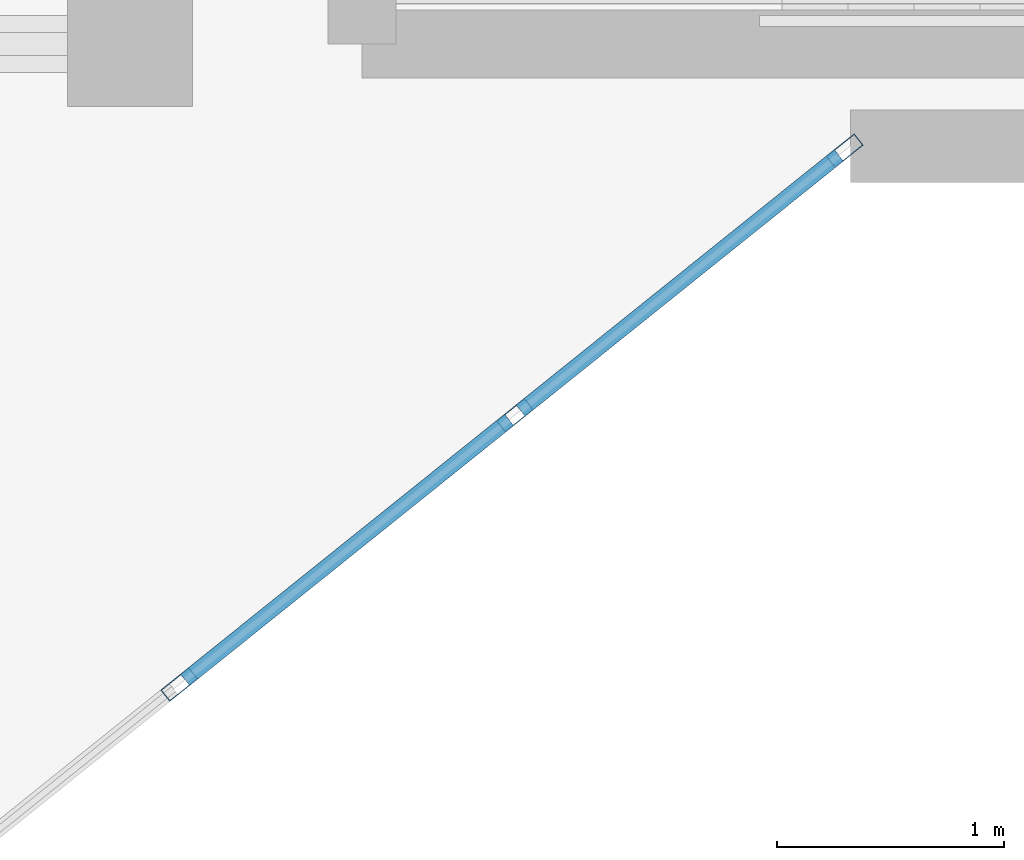
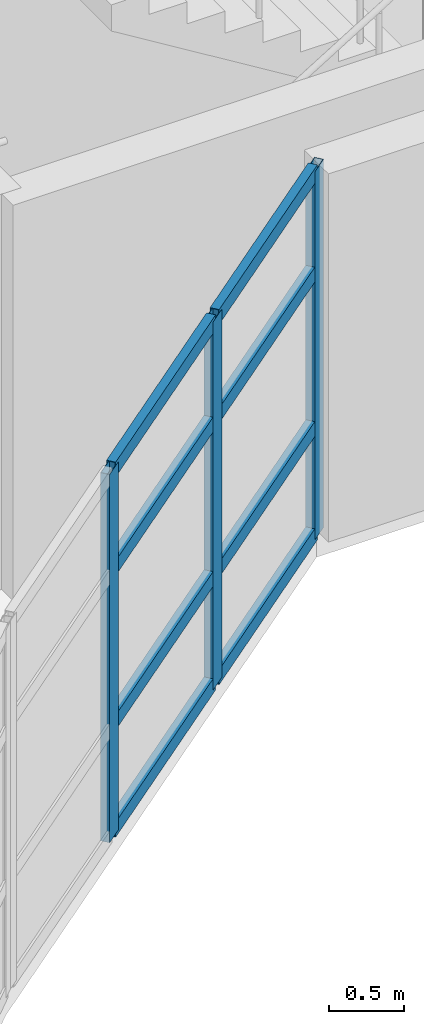
# One storey, part 10 of 54: 11 members, 1 element without a shape of its own.
"""IFC4 building model written with IfcOpenShell, lengths in metres."""

from ifc_helpers import new_model, si_unit, direction, frame, origin, origin_2d, place, context, subcontext, project, spatial, hollow_rectangle, extrude, material, layer, layer_set, material_profile, profile_set, type_object, element, aggregate, save


model = new_model("IFC4")

# Units and contexts
model_context = context("Model", 3, precision=1e-05, world=origin(), true_north=direction((0.0, 1.0)))
body_context = subcontext(model_context, "Body", "Model", "MODEL_VIEW")
ifc_project = project(units=[si_unit("LENGTHUNIT", "METRE"), si_unit("AREAUNIT", "SQUARE_METRE"), si_unit("VOLUMEUNIT", "CUBIC_METRE"), si_unit("PLANEANGLEUNIT", "RADIAN"), si_unit("MASSUNIT", "GRAM", prefix="KILO")], contexts=[model_context])

# Site, building, storey
site_placement = place(None, origin())
site = spatial("IfcSite", under=ifc_project, at=site_placement, CompositionType="ELEMENT")
building_placement = place(site_placement, origin())
building = spatial("IfcBuilding", under=site, at=building_placement, Name="Keldmere Railside Commons", CompositionType="ELEMENT")
storey_placement = place(building_placement, frame((0.0, 0.0, 26.56005859375)))
storey = spatial("IfcBuildingStorey", under=building, at=storey_placement, Name="L08", CompositionType="ELEMENT", Elevation=26.56005859375)

# Curtain wall, members
ifc_material = material(Name="Thermally Broken Aluminium", Category="aluminium")
ifc_layer = layer(ifc_material, 0.159912109375, Name="Court Chord Wintergarden CW 4800x2850")
ifc_layer_set = layer_set([ifc_layer], Name="Thermally Broken Aluminium")
curtain_wall_type = type_object("IfcCurtainWallType", Name="Court Chord Wintergarden CW 4800x2850", PredefinedType="NOTDEFINED", material=ifc_layer_set)
curtain_wall_placement = place(storey_placement, origin())
curtain_wall = element("IfcCurtainWall", 1, at=curtain_wall_placement, inside=storey, type_object=curtain_wall_type, Name="CW-12 CW-L08-075", PredefinedType="NOTDEFINED")
ifc_material_profile_1 = material_profile(ifc_material, hollow_rectangle(XDim=0.06494140625, YDim=0.159912109375, WallThickness=0.00390625, at=origin_2d()), Name="ALU-MULL-65x160")
ifc_profile_set_1 = profile_set([ifc_material_profile_1], Name="Thermally Broken Aluminium")
member_type_1 = type_object("IfcMemberType", Name="Unitised Curtain Wall Mullion 65x160", PredefinedType="MULLION", material=ifc_profile_set_1)
member_1_placement = place(storey_placement, frame((75.974609375, 99.979736328125, 0.0), z_axis=(0.0, 0.0, 1.0), x_axis=(0.625768080915, -0.780009172323, 0.0)))
member_1 = element("IfcMember", 2, at=member_1_placement, type_object=member_type_1, Name="CW-12 mullion 1", PredefinedType="MULLION", context=body_context, shape_type="SweptSolid", body=[
    extrude(hollow_rectangle(XDim=0.06494140625, YDim=0.159912109375, WallThickness=0.00390625, at=origin_2d()), origin(), (0.0, 0.0, 1.0), 2.97998046875),
])
member_2_placement = place(storey_placement, frame((74.5234375, 98.8154296875, 0.0), z_axis=(0.0, 0.0, 1.0), x_axis=(0.625768080915, -0.780009172323, 0.0)))
member_2 = element("IfcMember", 3, at=member_2_placement, type_object=member_type_1, Name="CW-12 mullion 2", PredefinedType="MULLION", context=body_context, shape_type="SweptSolid", body=[
    extrude(hollow_rectangle(XDim=0.06494140625, YDim=0.159912109375, WallThickness=0.00390625, at=origin_2d()), origin(), (0.0, 0.0, 1.0), 2.97998046875),
])
member_3_placement = place(storey_placement, frame((73.046630859375, 97.630615234375, 0.0), z_axis=(0.0, 0.0, 1.0), x_axis=(0.625768080915, -0.780009172323, 0.0)))
member_3 = element("IfcMember", 4, at=member_3_placement, type_object=member_type_1, Name="CW-12 mullion 3", PredefinedType="MULLION", context=body_context, shape_type="SweptSolid", body=[
    extrude(hollow_rectangle(XDim=0.06494140625, YDim=0.159912109375, WallThickness=0.00390625, at=origin_2d()), origin(), (0.0, 0.0, 1.0), 2.97998046875),
])
ifc_material_profile_2 = material_profile(ifc_material, hollow_rectangle(XDim=0.06494140625, YDim=0.1201171875, WallThickness=0.00390625, at=origin_2d()), Name="ALU-TRAN-65x120")
ifc_profile_set_2 = profile_set([ifc_material_profile_2], Name="Thermally Broken Aluminium")
member_type_2 = type_object("IfcMemberType", Name="Unitised Curtain Wall Transom 65x120", PredefinedType="USERDEFINED", material=ifc_profile_set_2)
member_4_placement = place(storey_placement, frame((75.94921875, 99.959228515625, 0.032470703125), z_axis=(-0.780045694992, -0.625722553313, 0.0), x_axis=(0.625722553313, -0.780045694992, 0.0)))
member_4 = element("IfcMember", 5, at=member_4_placement, type_object=member_type_2, Name="CW-12 transom 1.1", ObjectType="TRANSOM", PredefinedType="USERDEFINED", context=body_context, shape_type="SweptSolid", body=[
    extrude(hollow_rectangle(XDim=0.06494140625, YDim=0.1201171875, WallThickness=0.00390625, at=origin_2d()), origin(), (0.0, 0.0, 1.0), 1.795654296875),
])
member_5_placement = place(storey_placement, frame((75.94921875, 99.959228515625, 0.89990234375), z_axis=(-0.780045694992, -0.625722553313, 0.0), x_axis=(0.625722553313, -0.780045694992, 0.0)))
member_5 = element("IfcMember", 6, at=member_5_placement, type_object=member_type_2, Name="CW-12 transom 1.2", ObjectType="TRANSOM", PredefinedType="USERDEFINED", context=body_context, shape_type="SweptSolid", body=[
    extrude(hollow_rectangle(XDim=0.06494140625, YDim=0.1201171875, WallThickness=0.00390625, at=origin_2d()), origin(), (0.0, 0.0, 1.0), 1.795654296875),
])
member_6_placement = place(storey_placement, frame((75.94921875, 99.959228515625, 2.14990234375), z_axis=(-0.780045694992, -0.625722553313, 0.0), x_axis=(0.625722553313, -0.780045694992, 0.0)))
member_6 = element("IfcMember", 7, at=member_6_placement, type_object=member_type_2, Name="CW-12 transom 1.3", ObjectType="TRANSOM", PredefinedType="USERDEFINED", context=body_context, shape_type="SweptSolid", body=[
    extrude(hollow_rectangle(XDim=0.06494140625, YDim=0.1201171875, WallThickness=0.00390625, at=origin_2d()), origin(), (0.0, 0.0, 1.0), 1.795654296875),
])
member_7_placement = place(storey_placement, frame((75.94921875, 99.959228515625, 2.947509765625), z_axis=(-0.780045694992, -0.625722553313, 0.0), x_axis=(0.625722553313, -0.780045694992, 0.0)))
member_7 = element("IfcMember", 8, at=member_7_placement, type_object=member_type_2, Name="CW-12 transom 1.4", ObjectType="TRANSOM", PredefinedType="USERDEFINED", context=body_context, shape_type="SweptSolid", body=[
    extrude(hollow_rectangle(XDim=0.06494140625, YDim=0.1201171875, WallThickness=0.00390625, at=origin_2d()), origin(), (0.0, 0.0, 1.0), 1.795654296875),
])
member_8_placement = place(storey_placement, frame((74.498046875, 98.794921875, 0.032470703125), z_axis=(-0.78007338409, -0.625688033635, 0.0), x_axis=(0.625688033635, -0.78007338409, 0.0)))
member_8 = element("IfcMember", 9, at=member_8_placement, type_object=member_type_2, Name="CW-12 transom 2.1", ObjectType="TRANSOM", PredefinedType="USERDEFINED", context=body_context, shape_type="SweptSolid", body=[
    extrude(hollow_rectangle(XDim=0.06494140625, YDim=0.1201171875, WallThickness=0.00390625, at=origin_2d()), origin(), (0.0, 0.0, 1.0), 1.828125),
])
member_9_placement = place(storey_placement, frame((74.498046875, 98.794921875, 0.89990234375), z_axis=(-0.78007338409, -0.625688033635, 0.0), x_axis=(0.625688033635, -0.78007338409, 0.0)))
member_9 = element("IfcMember", 10, at=member_9_placement, type_object=member_type_2, Name="CW-12 transom 2.2", ObjectType="TRANSOM", PredefinedType="USERDEFINED", context=body_context, shape_type="SweptSolid", body=[
    extrude(hollow_rectangle(XDim=0.06494140625, YDim=0.1201171875, WallThickness=0.00390625, at=origin_2d()), origin(), (0.0, 0.0, 1.0), 1.828125),
])
member_10_placement = place(storey_placement, frame((74.498046875, 98.794921875, 2.14990234375), z_axis=(-0.78007338409, -0.625688033635, 0.0), x_axis=(0.625688033635, -0.78007338409, 0.0)))
member_10 = element("IfcMember", 11, at=member_10_placement, type_object=member_type_2, Name="CW-12 transom 2.3", ObjectType="TRANSOM", PredefinedType="USERDEFINED", context=body_context, shape_type="SweptSolid", body=[
    extrude(hollow_rectangle(XDim=0.06494140625, YDim=0.1201171875, WallThickness=0.00390625, at=origin_2d()), origin(), (0.0, 0.0, 1.0), 1.828125),
])
member_11_placement = place(storey_placement, frame((74.498046875, 98.794921875, 2.947509765625), z_axis=(-0.78007338409, -0.625688033635, 0.0), x_axis=(0.625688033635, -0.78007338409, 0.0)))
member_11 = element("IfcMember", 12, at=member_11_placement, type_object=member_type_2, Name="CW-12 transom 2.4", ObjectType="TRANSOM", PredefinedType="USERDEFINED", context=body_context, shape_type="SweptSolid", body=[
    extrude(hollow_rectangle(XDim=0.06494140625, YDim=0.1201171875, WallThickness=0.00390625, at=origin_2d()), origin(), (0.0, 0.0, 1.0), 1.828125),
])
aggregate(curtain_wall, [member_1, member_2, member_3, member_4, member_5, member_6, member_7, member_8, member_9, member_10, member_11])

save(model, "model.ifc")
